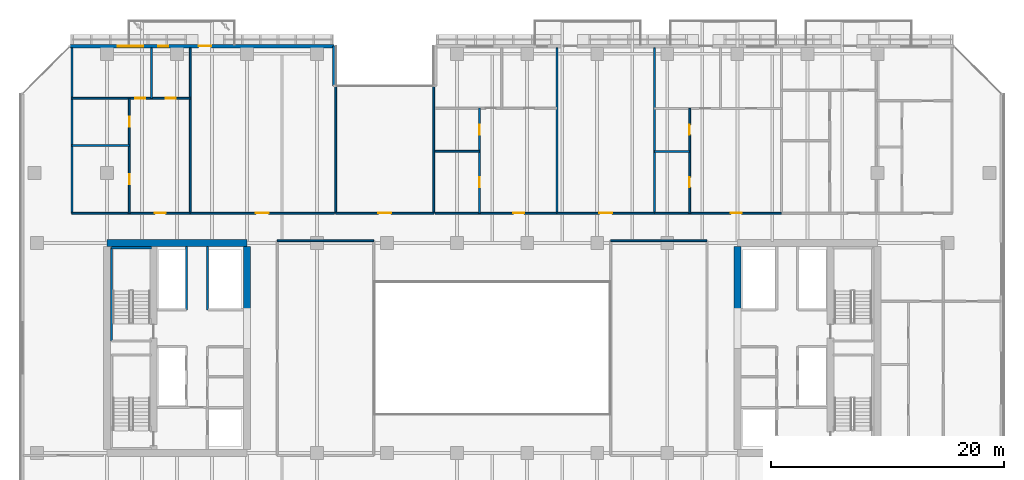
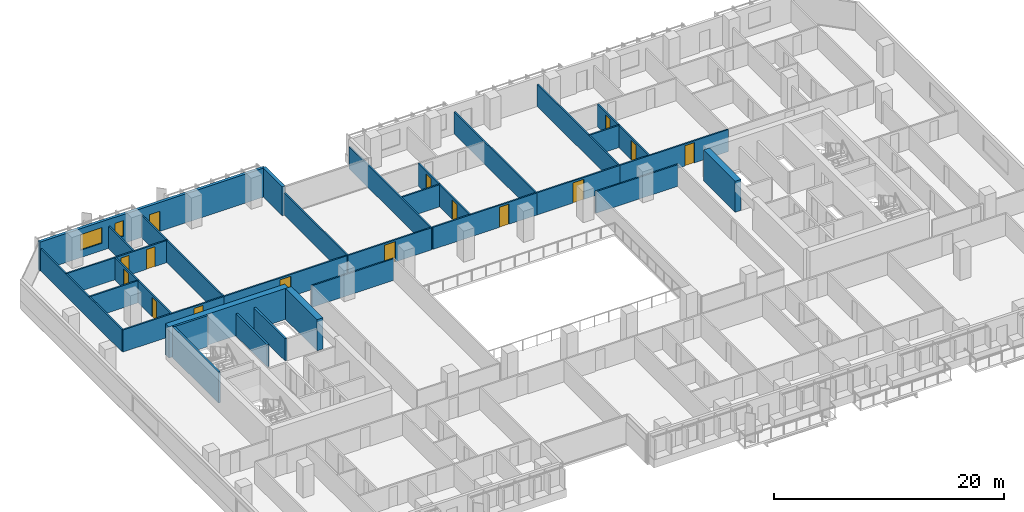
# One storey, part 22 of 34: 31 walls, 15 doors, 2 windows, 17 openings.
"""IFC4 building model written with IfcOpenShell, lengths in metres."""

from ifc_helpers import new_model, si_unit, direction, frame, frame_2d, origin, place, context, subcontext, project, spatial, rectangle, extrude, material, layer, layer_set, type_object, element, fill, save


model = new_model("IFC4")

# Units and contexts
model_context = context("Model", 3, precision=1e-05, world=origin(), true_north=direction((0.0, 1.0)))
body_context = subcontext(model_context, "Body", "Model", "MODEL_VIEW")
ifc_project = project(units=[si_unit("LENGTHUNIT", "METRE"), si_unit("AREAUNIT", "SQUARE_METRE"), si_unit("VOLUMEUNIT", "CUBIC_METRE"), si_unit("PLANEANGLEUNIT", "RADIAN"), si_unit("MASSUNIT", "GRAM", prefix="KILO")], contexts=[model_context])

# Site, building, storey
site_placement = place(None, origin())
site = spatial("IfcSite", under=ifc_project, at=site_placement, CompositionType="ELEMENT")
building_placement = place(site_placement, origin())
building = spatial("IfcBuilding", under=site, at=building_placement, Name="Tanjung Sevakor Pilgrim Tower", CompositionType="ELEMENT")
storey_placement = place(building_placement, frame((0.0, 0.0, 55.43994140625)))
storey = spatial("IfcBuildingStorey", under=building, at=storey_placement, Name="L15", CompositionType="ELEMENT", Elevation=55.43994140625)

# Walls
ifc_material_1 = material(Name="Concrete C60/75", Category="concrete")
ifc_layer_1 = layer(ifc_material_1, 0.60009765625)
ifc_layer_set_1 = layer_set([ifc_layer_1], Name="WALL-CW-600")
wall_type_1 = type_object("IfcWallType", Name="WALL-CW-600", PredefinedType="SHEAR", material=ifc_layer_set_1)
wall_1_placement = place(storey_placement, frame((36.0, 42.60009765625, 0.0), z_axis=(0.0, 0.0, 1.0), x_axis=(-1.0, 0.0, 0.0)))
element("IfcWall", 1, at=wall_1_placement, inside=storey, type_object=wall_type_1, Name="L15 W Core North Shear Wall", PredefinedType="SHEAR", context=body_context, shape_type="SweptSolid", body=[
    extrude(rectangle(XDim=12.0, YDim=0.60009765625, at=frame_2d((6.0, 0.0))), origin(), (0.0, 0.0, 1.0), 3.300048828125),
])
for number, where, z_axis, x_axis, name in (
    (2, (36.0, 36.800048828125, 0.0), (0.0, 0.0, 1.0), (0.0, 1.0, 0.0), "L15 W Core Inner Shear Wall North"),
    (3, (78.0, 36.800048828125, 0.0), (0.0, 0.0, 1.0), (0.0, 1.0, 0.0), "L15 E Core Inner Shear Wall North"),
):
    element("IfcWall", number, at=place(storey_placement, frame(where, z_axis=z_axis, x_axis=x_axis)), inside=storey, type_object=wall_type_1, Name=name, PredefinedType="SHEAR", context=body_context, shape_type="SweptSolid", body=[
        extrude(rectangle(XDim=5.5, YDim=0.60009765625, at=frame_2d((2.75, 0.0))), origin(), (0.0, 0.0, 1.0), 3.300048828125),
    ])
ifc_material_2 = material(Name="Concrete C40/50", Category="concrete")
ifc_layer_2 = layer(ifc_material_2, 0.14990234375)
ifc_layer_set_2 = layer_set([ifc_layer_2], Name="WT-COMP-150")
wall_type_2 = type_object("IfcWallType", Name="WT-COMP-150", PredefinedType="SOLIDWALL", material=ifc_layer_set_2)
for number, where, z_axis, x_axis, name in (
    (4, (38.60009765625, 42.800048828125, 0.0), (0.0, 0.0, 1.0), (1.0, 0.0, 0.0), "L15 Partition IW-L15-024"),
    (5, (67.14990234375, 42.800048828125, 0.0), (0.0, 0.0, 1.0), (1.0, 0.0, 0.0), "L15 Partition IW-L15-028"),
):
    element("IfcWall", number, at=place(storey_placement, frame(where, z_axis=z_axis, x_axis=x_axis)), inside=storey, type_object=wall_type_2, Name=name, PredefinedType="SOLIDWALL", context=body_context, shape_type="SweptSolid", body=[
        extrude(rectangle(XDim=8.25, YDim=0.14990234375, at=frame_2d((4.125, 0.0))), origin(), (0.0, 0.0, 1.0), 2.295166015625),
    ])

# Wall, opening, door
wall_2_placement = place(storey_placement, frame((43.60009765625, 45.14990234375, 0.0), z_axis=(0.0, 0.0, 1.0), x_axis=(1.0, 0.0, 0.0)))
wall_2 = element("IfcWall", 6, at=wall_2_placement, inside=storey, type_object=wall_type_2, Name="L15 Partition IW-L15-041", PredefinedType="SOLIDWALL", context=body_context, shape_type="SweptSolid", body=[
    extrude(rectangle(XDim=8.39990234375, YDim=0.14990234375, at=frame_2d((4.199951171875, 0.0))), origin(), (0.0, 0.0, 1.0), 2.35009765625),
])
opening_1_placement = place(wall_2_placement, frame((3.64990234375, 0.0, 0.0)))
opening_1 = element("IfcOpeningElement", 7, at=opening_1_placement, cuts=wall_2, Name="Opening ID-RM2", PredefinedType="OPENING", context=body_context, shape_type="SweptSolid", body=[
    extrude(rectangle(XDim=1.10009765625, YDim=2.14990234375, at=frame_2d((0.550048828125, 1.074951171875))), frame((0.0, 0.0849609375, 0.0), z_axis=(0.0, -1.0, 0.0), x_axis=(1.0, 0.0, 0.0)), (0.0, 0.0, 1.0), 0.169921875),
])
ifc_material_3 = material(Name="Hardwood Timber", Category="wood")
door_type_1 = type_object("IfcDoorType", Name="DT-INT-1100", OperationType="NOTDEFINED", PredefinedType="DOOR", material=ifc_material_3)
door_1_placement = place(opening_1_placement, origin())
door_1 = element("IfcDoor", 8, at=door_1_placement, inside=storey, type_object=door_type_1, Name="L15 North Cleft Reading Room Door", OperationType="SINGLE_SWING_LEFT", OverallHeight=2.14990234375, OverallWidth=1.10009765625, PredefinedType="DOOR", context=body_context, shape_type="SweptSolid", body=[
    extrude(rectangle(XDim=1.10009765625, YDim=2.14990234375, at=frame_2d((0.550048828125, 1.074951171875))), frame((0.0, 0.02490234375, 0.0), z_axis=(0.0, -1.0, 0.0), x_axis=(1.0, 0.0, 0.0)), (0.0, 0.0, 1.0), 0.050048828125),
])
fill(opening_1, door_1)

# Walls
for number, where, z_axis, x_axis, name in (
    (9, (43.60009765625, 45.14990234375, 0.0), (0.0, 0.0, 1.0), (0.0, 1.0, 0.0), "L15 Partition IW-L15-042"),
    (10, (52.0, 45.14990234375, 0.0), (0.0, 0.0, 1.0), (0.0, 1.0, 0.0), "L15 Partition IW-L15-043"),
    (11, (21.0, 45.14990234375, 0.0), (0.0, 0.0, 1.0), (0.0, 1.0, 0.0), "L15 Partition IW-L15-076"),
    (12, (31.137939453125, 45.14990234375, 0.0), (0.0, 0.0, 1.0), (0.0, 1.0, 0.0), "L15 Partition IW-L15-077"),
):
    element("IfcWall", number, at=place(storey_placement, frame(where, z_axis=z_axis, x_axis=x_axis)), inside=storey, type_object=wall_type_2, Name=name, PredefinedType="SOLIDWALL", context=body_context, shape_type="SweptSolid", body=[
        extrude(rectangle(XDim=14.170166015625, YDim=0.14990234375, at=frame_2d((7.0849609375, 0.0))), origin(), (0.0, 0.0, 1.0), 2.35009765625),
    ])

# Wall, opening, door
wall_3_placement = place(storey_placement, frame((21.0, 45.14990234375, 0.0), z_axis=(0.0, 0.0, 1.0), x_axis=(1.0, 0.0, 0.0)))
wall_3 = element("IfcWall", 13, at=wall_3_placement, inside=storey, type_object=wall_type_2, Name="L15 Partition IW-L15-082", PredefinedType="SOLIDWALL", context=body_context, shape_type="SweptSolid", body=[
    extrude(rectangle(XDim=10.137939453125, YDim=0.14990234375, at=frame_2d((5.06884765625, 0.0))), origin(), (0.0, 0.0, 1.0), 2.35009765625),
])
opening_2_placement = place(wall_3_placement, frame((7.093994140625, 0.0, 0.0)))
opening_2 = element("IfcOpeningElement", 14, at=opening_2_placement, cuts=wall_3, Name="Opening ID-FD2", PredefinedType="OPENING", context=body_context, shape_type="SweptSolid", body=[
    extrude(rectangle(XDim=0.949951171875, YDim=2.14990234375, at=frame_2d((0.47509765625, 1.074951171875))), frame((0.0, 0.0849609375, 0.0), z_axis=(0.0, -1.0, 0.0), x_axis=(1.0, 0.0, 0.0)), (0.0, 0.0, 1.0), 0.169921875),
])
ifc_material_4 = material(Name="Fire-Rated Timber", Category="wood")
door_type_2 = type_object("IfcDoorType", Name="DT-FIRE-950", OperationType="NOTDEFINED", PredefinedType="DOOR", material=ifc_material_4)
door_2_placement = place(opening_2_placement, origin())
door_2 = element("IfcDoor", 15, at=door_2_placement, inside=storey, type_object=door_type_2, Name="Suite Entrance", OperationType="SINGLE_SWING_LEFT", OverallHeight=2.14990234375, OverallWidth=0.949951171875, PredefinedType="DOOR", context=body_context, shape_type="SweptSolid", body=[
    extrude(rectangle(XDim=0.949951171875, YDim=2.14990234375, at=frame_2d((0.47509765625, 1.074951171875))), frame((0.0, 0.02490234375, 0.0), z_axis=(0.0, -1.0, 0.0), x_axis=(1.0, 0.0, 0.0)), (0.0, 0.0, 1.0), 0.050048828125),
])
fill(opening_2, door_2)

wall_4_placement = place(storey_placement, frame((31.137939453125, 45.14990234375, 0.0), z_axis=(0.0, 0.0, 1.0), x_axis=(1.0, 0.0, 0.0)))
wall_4 = element("IfcWall", 16, at=wall_4_placement, inside=storey, type_object=wall_type_2, Name="L15 Partition IW-L15-083", PredefinedType="SOLIDWALL", context=body_context, shape_type="SweptSolid", body=[
    extrude(rectangle(XDim=12.342041015625, YDim=0.14990234375, at=frame_2d((6.1708984375, 0.0))), origin(), (0.0, 0.0, 1.0), 2.35009765625),
])
opening_3_placement = place(wall_4_placement, frame((5.62109375, 0.0, 0.0)))
opening_3 = element("IfcOpeningElement", 17, at=opening_3_placement, cuts=wall_4, Name="Opening ID-FD0", PredefinedType="OPENING", context=body_context, shape_type="SweptSolid", body=[
    extrude(rectangle(XDim=1.10009765625, YDim=2.14990234375, at=frame_2d((0.550048828125, 1.074951171875))), frame((0.0, 0.0849609375, 0.0), z_axis=(0.0, -1.0, 0.0), x_axis=(1.0, 0.0, 0.0)), (0.0, 0.0, 1.0), 0.169921875),
])
ifc_material_5 = material(Name="Fire-Rated Steel S355J2", Category="steel")
door_type_3 = type_object("IfcDoorType", Name="DT-FIRE-1100", OperationType="NOTDEFINED", PredefinedType="DOOR", material=ifc_material_5)
door_3_placement = place(opening_3_placement, origin())
door_3 = element("IfcDoor", 18, at=door_3_placement, inside=storey, type_object=door_type_3, Name="Seminar Room Door", OperationType="SINGLE_SWING_RIGHT", OverallHeight=2.14990234375, OverallWidth=1.10009765625, PredefinedType="DOOR", context=body_context, shape_type="SweptSolid", body=[
    extrude(rectangle(XDim=1.10009765625, YDim=2.14990234375, at=frame_2d((0.550048828125, 1.074951171875))), frame((0.0, 0.02490234375, 0.0), z_axis=(0.0, -1.0, 0.0), x_axis=(1.0, 0.0, 0.0)), (0.0, 0.0, 1.0), 0.050048828125),
])
fill(opening_3, door_3)

# Wall
wall_5_placement = place(storey_placement, frame((62.552490234375, 45.14990234375, 0.0), z_axis=(0.0, 0.0, 1.0), x_axis=(0.0, 1.0, 0.0)))
element("IfcWall", 19, at=wall_5_placement, inside=storey, type_object=wall_type_2, Name="L15 Partition IW-L15-085", PredefinedType="SOLIDWALL", context=body_context, shape_type="SweptSolid", body=[
    extrude(rectangle(XDim=14.170166015625, YDim=0.14990234375, at=frame_2d((7.0849609375, 0.0))), origin(), (0.0, 0.0, 1.0), 2.35009765625),
])

# Wall, opening, door
wall_6_placement = place(storey_placement, frame((52.1201171875, 45.14990234375, 0.0), z_axis=(0.0, 0.0, 1.0), x_axis=(1.0, 0.0, 0.0)))
wall_6 = element("IfcWall", 20, at=wall_6_placement, inside=storey, type_object=wall_type_2, Name="L15 Partition IW-L15-090", PredefinedType="SOLIDWALL", context=body_context, shape_type="SweptSolid", body=[
    extrude(rectangle(XDim=10.432373046875, YDim=0.14990234375, at=frame_2d((5.21630859375, 0.0))), origin(), (0.0, 0.0, 1.0), 2.35009765625),
])
opening_4_placement = place(wall_6_placement, frame((6.681396484375, 0.0, 0.0)))
opening_4 = element("IfcOpeningElement", 21, at=opening_4_placement, cuts=wall_6, Name="Opening ID-FD2", PredefinedType="OPENING", context=body_context, shape_type="SweptSolid", body=[
    extrude(rectangle(XDim=0.949951171875, YDim=2.14990234375, at=frame_2d((0.47509765625, 1.074951171875))), frame((0.0, 0.0849609375, 0.0), z_axis=(0.0, -1.0, 0.0), x_axis=(1.0, 0.0, 0.0)), (0.0, 0.0, 1.0), 0.169921875),
])
door_4_placement = place(opening_4_placement, origin())
door_4 = element("IfcDoor", 22, at=door_4_placement, inside=storey, type_object=door_type_2, Name="Suite Entrance", OperationType="SINGLE_SWING_LEFT", OverallHeight=2.14990234375, OverallWidth=0.949951171875, PredefinedType="DOOR", context=body_context, shape_type="SweptSolid", body=[
    extrude(rectangle(XDim=0.949951171875, YDim=2.14990234375, at=frame_2d((0.47509765625, 1.074951171875))), frame((0.0, 0.02490234375, 0.0), z_axis=(0.0, -1.0, 0.0), x_axis=(1.0, 0.0, 0.0)), (0.0, 0.0, 1.0), 0.050048828125),
])
fill(opening_4, door_4)

# Wall
wall_7_placement = place(storey_placement, frame((70.8984375, 45.14990234375, 0.0), z_axis=(0.0, 0.0, 1.0), x_axis=(0.0, 1.0, 0.0)))
element("IfcWall", 23, at=wall_7_placement, inside=storey, type_object=wall_type_2, Name="L15 Partition IW-L15-091", PredefinedType="SOLIDWALL", context=body_context, shape_type="SweptSolid", body=[
    extrude(rectangle(XDim=14.170166015625, YDim=0.14990234375, at=frame_2d((7.0849609375, 0.0))), origin(), (0.0, 0.0, 1.0), 2.35009765625),
])

# Wall, opening, door
wall_8_placement = place(storey_placement, frame((62.552490234375, 45.14990234375, 0.0), z_axis=(0.0, 0.0, 1.0), x_axis=(1.0, 0.0, 0.0)))
wall_8 = element("IfcWall", 24, at=wall_8_placement, inside=storey, type_object=wall_type_2, Name="L15 Partition IW-L15-092", PredefinedType="SOLIDWALL", context=body_context, shape_type="SweptSolid", body=[
    extrude(rectangle(XDim=8.345947265625, YDim=0.14990234375, at=frame_2d((4.1728515625, 0.0))), origin(), (0.0, 0.0, 1.0), 2.35009765625),
])
opening_5_placement = place(wall_8_placement, frame((3.623046875, 0.0, 0.0)))
opening_5 = element("IfcOpeningElement", 25, at=opening_5_placement, cuts=wall_8, Name="Opening ID-FD0", PredefinedType="OPENING", context=body_context, shape_type="SweptSolid", body=[
    extrude(rectangle(XDim=1.10009765625, YDim=2.14990234375, at=frame_2d((0.550048828125, 1.074951171875))), frame((0.0, 0.0849609375, 0.0), z_axis=(0.0, -1.0, 0.0), x_axis=(1.0, 0.0, 0.0)), (0.0, 0.0, 1.0), 0.169921875),
])
door_5_placement = place(opening_5_placement, origin())
door_5 = element("IfcDoor", 26, at=door_5_placement, inside=storey, type_object=door_type_3, Name="Council Room Door", OperationType="SINGLE_SWING_RIGHT", OverallHeight=2.14990234375, OverallWidth=1.10009765625, PredefinedType="DOOR", context=body_context, shape_type="SweptSolid", body=[
    extrude(rectangle(XDim=1.10009765625, YDim=2.14990234375, at=frame_2d((0.550048828125, 1.074951171875))), frame((0.0, 0.02490234375, 0.0), z_axis=(0.0, -1.0, 0.0), x_axis=(1.0, 0.0, 0.0)), (0.0, 0.0, 1.0), 0.050048828125),
])
fill(opening_5, door_5)

wall_9_placement = place(storey_placement, frame((70.8984375, 45.14990234375, 0.0), z_axis=(0.0, 0.0, 1.0), x_axis=(1.0, 0.0, 0.0)))
wall_9 = element("IfcWall", 27, at=wall_9_placement, inside=storey, type_object=wall_type_2, Name="L15 Partition IW-L15-098", PredefinedType="SOLIDWALL", context=body_context, shape_type="SweptSolid", body=[
    extrude(rectangle(XDim=10.896240234375, YDim=0.14990234375, at=frame_2d((5.4482421875, 0.0))), origin(), (0.0, 0.0, 1.0), 2.35009765625),
])
opening_6_placement = place(wall_9_placement, frame((6.523681640625, 0.0, 0.0)))
opening_6 = element("IfcOpeningElement", 28, at=opening_6_placement, cuts=wall_9, Name="Opening ID-FD2", PredefinedType="OPENING", context=body_context, shape_type="SweptSolid", body=[
    extrude(rectangle(XDim=0.949951171875, YDim=2.14990234375, at=frame_2d((0.47509765625, 1.074951171875))), frame((0.0, 0.0849609375, 0.0), z_axis=(0.0, -1.0, 0.0), x_axis=(1.0, 0.0, 0.0)), (0.0, 0.0, 1.0), 0.169921875),
])
door_6_placement = place(opening_6_placement, origin())
door_6 = element("IfcDoor", 29, at=door_6_placement, inside=storey, type_object=door_type_2, Name="Suite Entrance", OperationType="SINGLE_SWING_LEFT", OverallHeight=2.14990234375, OverallWidth=0.949951171875, PredefinedType="DOOR", context=body_context, shape_type="SweptSolid", body=[
    extrude(rectangle(XDim=0.949951171875, YDim=2.14990234375, at=frame_2d((0.47509765625, 1.074951171875))), frame((0.0, 0.02490234375, 0.0), z_axis=(0.0, -1.0, 0.0), x_axis=(1.0, 0.0, 0.0)), (0.0, 0.0, 1.0), 0.050048828125),
])
fill(opening_6, door_6)

# Wall
ifc_material_6 = material(Name="Precast concrete C45/55", Category="concrete")
ifc_layer_3 = layer(ifc_material_6, 0.280029296875)
ifc_layer_set_3 = layer_set([ifc_layer_3], Name="WT-EW-STN2")
wall_type_3 = type_object("IfcWallType", Name="WT-EW-STN2", PredefinedType="SOLIDWALL", material=ifc_layer_set_3)
wall_10_placement = place(storey_placement, frame((43.4599609375, 56.06005859375, 0.0), z_axis=(0.0, 0.0, 1.0), x_axis=(0.0, 1.0, 0.0)))
element("IfcWall", 30, at=wall_10_placement, inside=storey, type_object=wall_type_3, Name="L15 MAIN Exterior Wall 12", PredefinedType="SOLIDWALL", context=body_context, shape_type="SweptSolid", body=[
    extrude(rectangle(XDim=3.39990234375, YDim=0.280029296875, at=frame_2d((1.699951171875, 0.0))), origin(), (0.0, 0.0, 1.0), 3.080078125),
])

# Wall, openings, door, windows
wall_11_placement = place(storey_placement, frame((43.4599609375, 59.4599609375, 0.0), z_axis=(0.0, 0.0, 1.0), x_axis=(-1.0, 0.0, 0.0)))
wall_11 = element("IfcWall", 31, at=wall_11_placement, inside=storey, type_object=wall_type_3, Name="L15 MAIN Exterior Wall 13", PredefinedType="SOLIDWALL", context=body_context, shape_type="SweptSolid", body=[
    extrude(rectangle(XDim=22.60205078125, YDim=0.280029296875, at=frame_2d((11.301025390625, 0.0))), origin(), (0.0, 0.0, 1.0), 3.080078125),
])
opening_7_placement = place(wall_11_placement, frame((10.510009765625, 0.0, 0.0)))
opening_7 = element("IfcOpeningElement", 32, at=opening_7_placement, cuts=wall_11, Name="Opening ED-BAL-1100", PredefinedType="OPENING", context=body_context, shape_type="SweptSolid", body=[
    extrude(rectangle(XDim=1.10009765625, YDim=2.14990234375, at=frame_2d((0.550048828125, 1.074951171875))), frame((0.0, 0.14990234375, 0.0), z_axis=(0.0, -1.0, 0.0), x_axis=(1.0, 0.0, 0.0)), (0.0, 0.0, 1.0), 0.300048828125),
])
opening_8_placement = place(wall_11_placement, frame((16.340087890625, 0.0, 0.780029296875)))
opening_8 = element("IfcOpeningElement", 33, at=opening_8_placement, cuts=wall_11, Name="Opening WN-Z1-1660", PredefinedType="OPENING", context=body_context, shape_type="SweptSolid", body=[
    extrude(rectangle(XDim=2.199951171875, YDim=1.659912109375, at=frame_2d((1.10009765625, 0.830078125))), frame((0.0, 0.14990234375, 0.0), z_axis=(0.0, -1.0, 0.0), x_axis=(1.0, 0.0, 0.0)), (0.0, 0.0, 1.0), 0.300048828125),
])
opening_9_placement = place(wall_11_placement, frame((14.2060546875, 0.0, 0.780029296875)))
opening_9 = element("IfcOpeningElement", 34, at=opening_9_placement, cuts=wall_11, Name="Opening WN-SLM", PredefinedType="OPENING", context=body_context, shape_type="SweptSolid", body=[
    extrude(rectangle(XDim=0.85009765625, YDim=1.64990234375, at=frame_2d((0.425048828125, 0.824951171875))), frame((0.0, 0.14990234375, 0.0), z_axis=(0.0, -1.0, 0.0), x_axis=(1.0, 0.0, 0.0)), (0.0, 0.0, 1.0), 0.300048828125),
])
ifc_material_7 = material(Name="Anodised Aluminium and Laminated Glass", Category="aluminium")
door_type_4 = type_object("IfcDoorType", Name="DTYP-ED-BAL-1100", OperationType="NOTDEFINED", PredefinedType="DOOR", material=ifc_material_7)
door_7_placement = place(opening_7_placement, frame((1.10009765625, 0.0, 0.0), z_axis=(0.0, 0.0, 1.0), x_axis=(-1.0, 0.0, 0.0)))
door_7 = element("IfcDoor", 35, at=door_7_placement, inside=storey, type_object=door_type_4, Name="L15 Balcony Door MAIN-N1", OperationType="SINGLE_SWING_LEFT", OverallHeight=2.14990234375, OverallWidth=1.10009765625, PredefinedType="DOOR", context=body_context, shape_type="SweptSolid", body=[
    extrude(rectangle(XDim=1.10009765625, YDim=2.14990234375, at=frame_2d((0.550048828125, 1.074951171875))), frame((0.0, 0.02490234375, 0.0), z_axis=(0.0, -1.0, 0.0), x_axis=(1.0, 0.0, 0.0)), (0.0, 0.0, 1.0), 0.050048828125),
])
fill(opening_7, door_7)
ifc_material_8 = material(Name="Thermally Broken Aluminium and Low-E Glass", Category="aluminium")
window_type_1 = type_object("IfcWindowType", Name="WTYP-WN-SLM", PartitioningType="SINGLE_PANEL", PredefinedType="WINDOW", material=ifc_material_8)
window_1_placement = place(opening_9_placement, origin())
window_1 = element("IfcWindow", 36, at=window_1_placement, inside=storey, type_object=window_type_1, Name="L15 Facade Window 02", OverallHeight=1.64990234375, OverallWidth=0.85009765625, PartitioningType="SINGLE_PANEL", PredefinedType="WINDOW", context=body_context, shape_type="SweptSolid", body=[
    extrude(rectangle(XDim=0.85009765625, YDim=1.64990234375, at=frame_2d((0.425048828125, 0.824951171875))), frame((0.0, 0.030029296875, 0.0), z_axis=(0.0, -1.0, 0.0), x_axis=(1.0, 0.0, 0.0)), (0.0, 0.0, 1.0), 0.06005859375),
])
fill(opening_9, window_1)
ifc_material_9 = material(Name="Thermally Broken Aluminium and Low-E Glass", Category="aluminium")
window_type_2 = type_object("IfcWindowType", Name="WTYP-WN-Z1-1660", PartitioningType="DOUBLE_PANEL_VERTICAL", PredefinedType="WINDOW", material=ifc_material_9)
window_2_placement = place(opening_8_placement, origin())
window_2 = element("IfcWindow", 37, at=window_2_placement, inside=storey, type_object=window_type_2, Name="L15 Facade Window 01", OverallHeight=1.659912109375, OverallWidth=2.199951171875, PartitioningType="SINGLE_PANEL", PredefinedType="WINDOW", context=body_context, shape_type="SweptSolid", body=[
    extrude(rectangle(XDim=2.199951171875, YDim=1.659912109375, at=frame_2d((1.10009765625, 0.830078125))), frame((0.0, 0.030029296875, 0.0), z_axis=(0.0, -1.0, 0.0), x_axis=(1.0, 0.0, 0.0)), (0.0, 0.0, 1.0), 0.06005859375),
])
fill(opening_8, window_2)

# Walls
ifc_material_10 = material(Name="Concrete C40/50", Category="concrete")
ifc_layer_4 = layer(ifc_material_10, 0.199951171875)
ifc_layer_set_4 = layer_set([ifc_layer_4], Name="WT-FIRE-200")
wall_type_4 = type_object("IfcWallType", Name="WT-FIRE-200", PredefinedType="SOLIDWALL", material=ifc_layer_set_4)
wall_12_placement = place(storey_placement, frame((27.800048828125, 42.199951171875, 0.0), z_axis=(0.0, 0.0, 1.0), x_axis=(-1.0, 0.0, 0.0)))
element("IfcWall", 38, at=wall_12_placement, inside=storey, type_object=wall_type_4, Name="L15 TS-W2 Shaft Wall 2", PredefinedType="SOLIDWALL", context=body_context, shape_type="SweptSolid", body=[
    extrude(rectangle(XDim=3.400146484375, YDim=0.199951171875, at=frame_2d((1.7001953125, 0.0))), origin(), (0.0, 0.0, 1.0), 3.300048828125),
])
wall_13_placement = place(storey_placement, frame((24.39990234375, 42.199951171875, 0.0), z_axis=(0.0, 0.0, 1.0), x_axis=(0.0, -1.0, 0.0)))
element("IfcWall", 39, at=wall_13_placement, inside=storey, type_object=wall_type_4, Name="L15 TS-W2 Shaft Wall 3", PredefinedType="SOLIDWALL", context=body_context, shape_type="SweptSolid", body=[
    extrude(rectangle(XDim=8.0, YDim=0.199951171875, at=frame_2d((4.0, 0.0))), origin(), (0.0, 0.0, 1.0), 3.300048828125),
])
ifc_material_11 = material(Name="Concrete C40/50", Category="concrete")
ifc_layer_5 = layer(ifc_material_11, 0.199951171875)
ifc_layer_set_5 = layer_set([ifc_layer_5], Name="WT-FPRT-200")
wall_type_5 = type_object("IfcWallType", Name="WT-FPRT-200", PredefinedType="SOLIDWALL", material=ifc_layer_set_5)
for number, where, z_axis, x_axis, name in (
    (40, (30.820068359375, 36.8798828125, 0.0), (0.0, 0.0, 1.0), (0.0, 1.0, 0.0), "L15 Partition IW-L15-009"),
    (41, (32.6201171875, 36.8798828125, 0.0), (0.0, 0.0, 1.0), (0.0, 1.0, 0.0), "L15 Partition IW-L15-011"),
):
    element("IfcWall", number, at=place(storey_placement, frame(where, z_axis=z_axis, x_axis=x_axis)), inside=storey, type_object=wall_type_5, Name=name, PredefinedType="SOLIDWALL", context=body_context, shape_type="SweptSolid", body=[
        extrude(rectangle(XDim=5.420166015625, YDim=0.199951171875, at=frame_2d((2.7099609375, 0.0))), origin(), (0.0, 0.0, 1.0), 2.35009765625),
    ])
ifc_material_12 = material(Name="Gypsum Board Partition", Category="gypsum board")
ifc_layer_6 = layer(ifc_material_12, 0.14990234375)
ifc_layer_set_6 = layer_set([ifc_layer_6], Name="WT-PART-150")
wall_type_6 = type_object("IfcWallType", Name="WT-PART-150", PredefinedType="PARTITIONING", material=ifc_layer_set_6)
wall_14_placement = place(storey_placement, frame((21.0, 50.958251953125, 0.0), z_axis=(0.0, 0.0, 1.0), x_axis=(1.0, 0.0, 0.0)))
element("IfcWall", 42, at=wall_14_placement, inside=storey, type_object=wall_type_6, Name="L15 Partition IW-L15-078", PredefinedType="PARTITIONING", context=body_context, shape_type="SweptSolid", body=[
    extrude(rectangle(XDim=4.919921875, YDim=0.14990234375, at=frame_2d((2.4599609375, 0.0))), origin(), (0.0, 0.0, 1.0), 2.35009765625),
])

# Wall, openings, doors
wall_15_placement = place(storey_placement, frame((25.919921875, 45.14990234375, 0.0), z_axis=(0.0, 0.0, 1.0), x_axis=(0.0, 1.0, 0.0)))
wall_15 = element("IfcWall", 43, at=wall_15_placement, inside=storey, type_object=wall_type_6, Name="L15 Partition IW-L15-079", PredefinedType="PARTITIONING", context=body_context, shape_type="SweptSolid", body=[
    extrude(rectangle(XDim=9.844482421875, YDim=0.14990234375, at=frame_2d((4.92236328125, 0.0))), origin(), (0.0, 0.0, 1.0), 2.35009765625),
])
opening_10_placement = place(wall_15_placement, frame((2.479248046875, 0.0, 0.0)))
opening_10 = element("IfcOpeningElement", 44, at=opening_10_placement, cuts=wall_15, Name="Opening ID-WC1", PredefinedType="OPENING", context=body_context, shape_type="SweptSolid", body=[
    extrude(rectangle(XDim=0.85009765625, YDim=2.10009765625, at=frame_2d((0.425048828125, 1.050048828125))), frame((0.0, 0.0849609375, 0.0), z_axis=(0.0, -1.0, 0.0), x_axis=(1.0, 0.0, 0.0)), (0.0, 0.0, 1.0), 0.169921875),
])
opening_11_placement = place(wall_15_placement, frame((7.4013671875, 0.0, 0.0)))
opening_11 = element("IfcOpeningElement", 45, at=opening_11_placement, cuts=wall_15, Name="Opening ID-WC1", PredefinedType="OPENING", context=body_context, shape_type="SweptSolid", body=[
    extrude(rectangle(XDim=0.85009765625, YDim=2.10009765625, at=frame_2d((0.425048828125, 1.050048828125))), frame((0.0, 0.0849609375, 0.0), z_axis=(0.0, -1.0, 0.0), x_axis=(1.0, 0.0, 0.0)), (0.0, 0.0, 1.0), 0.169921875),
])
ifc_material_13 = material(Name="Moisture-Resistant Timber", Category="wood")
door_type_5 = type_object("IfcDoorType", Name="DT-INT-850", OperationType="NOTDEFINED", PredefinedType="DOOR", material=ifc_material_13)
door_8_placement = place(opening_10_placement, origin())
door_8 = element("IfcDoor", 46, at=door_8_placement, inside=storey, type_object=door_type_5, Name="Suite Kitchenette Door", OperationType="SINGLE_SWING_LEFT", OverallHeight=2.10009765625, OverallWidth=0.85009765625, PredefinedType="DOOR", context=body_context, shape_type="SweptSolid", body=[
    extrude(rectangle(XDim=0.85009765625, YDim=2.10009765625, at=frame_2d((0.425048828125, 1.050048828125))), frame((0.0, 0.02490234375, 0.0), z_axis=(0.0, -1.0, 0.0), x_axis=(1.0, 0.0, 0.0)), (0.0, 0.0, 1.0), 0.050048828125),
])
fill(opening_10, door_8)
door_9_placement = place(opening_11_placement, origin())
door_9 = element("IfcDoor", 47, at=door_9_placement, inside=storey, type_object=door_type_5, Name="Suite Bathroom Door", OperationType="SINGLE_SWING_RIGHT", OverallHeight=2.10009765625, OverallWidth=0.85009765625, PredefinedType="DOOR", context=body_context, shape_type="SweptSolid", body=[
    extrude(rectangle(XDim=0.85009765625, YDim=2.10009765625, at=frame_2d((0.425048828125, 1.050048828125))), frame((0.0, 0.02490234375, 0.0), z_axis=(0.0, -1.0, 0.0), x_axis=(1.0, 0.0, 0.0)), (0.0, 0.0, 1.0), 0.050048828125),
])
fill(opening_11, door_9)

# Wall
wall_16_placement = place(storey_placement, frame((27.820068359375, 54.994384765625, 0.0), z_axis=(0.0, 0.0, 1.0), x_axis=(0.0, 1.0, 0.0)))
element("IfcWall", 48, at=wall_16_placement, inside=storey, type_object=wall_type_6, Name="L15 Partition IW-L15-080", PredefinedType="PARTITIONING", context=body_context, shape_type="SweptSolid", body=[
    extrude(rectangle(XDim=4.32568359375, YDim=0.14990234375, at=frame_2d((2.162841796875, 0.0))), origin(), (0.0, 0.0, 1.0), 2.35009765625),
])

# Wall, openings, doors
wall_17_placement = place(storey_placement, frame((21.0, 54.994384765625, 0.0), z_axis=(0.0, 0.0, 1.0), x_axis=(1.0, 0.0, 0.0)))
wall_17 = element("IfcWall", 49, at=wall_17_placement, inside=storey, type_object=wall_type_6, Name="L15 Partition IW-L15-081", PredefinedType="PARTITIONING", context=body_context, shape_type="SweptSolid", body=[
    extrude(rectangle(XDim=10.137939453125, YDim=0.14990234375, at=frame_2d((5.06884765625, 0.0))), origin(), (0.0, 0.0, 1.0), 2.35009765625),
])
opening_12_placement = place(wall_17_placement, frame((5.445068359375, 0.0, 0.0)))
opening_12 = element("IfcOpeningElement", 50, at=opening_12_placement, cuts=wall_17, Name="Opening ID-WC1", PredefinedType="OPENING", context=body_context, shape_type="SweptSolid", body=[
    extrude(rectangle(XDim=0.85009765625, YDim=2.10009765625, at=frame_2d((0.425048828125, 1.050048828125))), frame((0.0, 0.0849609375, 0.0), z_axis=(0.0, -1.0, 0.0), x_axis=(1.0, 0.0, 0.0)), (0.0, 0.0, 1.0), 0.169921875),
])
opening_13_placement = place(wall_17_placement, frame((8.053955078125, 0.0, 0.0)))
opening_13 = element("IfcOpeningElement", 51, at=opening_13_placement, cuts=wall_17, Name="Opening ID-WC1", PredefinedType="OPENING", context=body_context, shape_type="SweptSolid", body=[
    extrude(rectangle(XDim=0.85009765625, YDim=2.10009765625, at=frame_2d((0.425048828125, 1.050048828125))), frame((0.0, 0.0849609375, 0.0), z_axis=(0.0, -1.0, 0.0), x_axis=(1.0, 0.0, 0.0)), (0.0, 0.0, 1.0), 0.169921875),
])
door_10_placement = place(opening_12_placement, origin())
door_10 = element("IfcDoor", 52, at=door_10_placement, inside=storey, type_object=door_type_5, Name="Suite Bedroom 1 Door", OperationType="SINGLE_SWING_LEFT", OverallHeight=2.10009765625, OverallWidth=0.85009765625, PredefinedType="DOOR", context=body_context, shape_type="SweptSolid", body=[
    extrude(rectangle(XDim=0.85009765625, YDim=2.10009765625, at=frame_2d((0.425048828125, 1.050048828125))), frame((0.0, 0.02490234375, 0.0), z_axis=(0.0, -1.0, 0.0), x_axis=(1.0, 0.0, 0.0)), (0.0, 0.0, 1.0), 0.050048828125),
])
fill(opening_12, door_10)
door_11_placement = place(opening_13_placement, origin())
door_11 = element("IfcDoor", 53, at=door_11_placement, inside=storey, type_object=door_type_5, Name="Suite Bedroom 2 Door", OperationType="SINGLE_SWING_RIGHT", OverallHeight=2.10009765625, OverallWidth=0.85009765625, PredefinedType="DOOR", context=body_context, shape_type="SweptSolid", body=[
    extrude(rectangle(XDim=0.85009765625, YDim=2.10009765625, at=frame_2d((0.425048828125, 1.050048828125))), frame((0.0, 0.02490234375, 0.0), z_axis=(0.0, -1.0, 0.0), x_axis=(1.0, 0.0, 0.0)), (0.0, 0.0, 1.0), 0.050048828125),
])
fill(opening_13, door_11)

# Wall
wall_18_placement = place(storey_placement, frame((52.1201171875, 50.456787109375, 0.0), z_axis=(0.0, 0.0, 1.0), x_axis=(1.0, 0.0, 0.0)))
element("IfcWall", 54, at=wall_18_placement, inside=storey, type_object=wall_type_6, Name="L15 Partition IW-L15-086", PredefinedType="PARTITIONING", context=body_context, shape_type="SweptSolid", body=[
    extrude(rectangle(XDim=3.7998046875, YDim=0.14990234375, at=frame_2d((1.89990234375, 0.0))), origin(), (0.0, 0.0, 1.0), 2.35009765625),
])

# Wall, openings, doors
wall_19_placement = place(storey_placement, frame((55.919921875, 45.14990234375, 0.0), z_axis=(0.0, 0.0, 1.0), x_axis=(0.0, 1.0, 0.0)))
wall_19 = element("IfcWall", 55, at=wall_19_placement, inside=storey, type_object=wall_type_6, Name="L15 Partition IW-L15-087", PredefinedType="PARTITIONING", context=body_context, shape_type="SweptSolid", body=[
    extrude(rectangle(XDim=8.99462890625, YDim=0.14990234375, at=frame_2d((4.497314453125, 0.0))), origin(), (0.0, 0.0, 1.0), 2.35009765625),
])
opening_14_placement = place(wall_19_placement, frame((2.228515625, 0.0, 0.0)))
opening_14 = element("IfcOpeningElement", 56, at=opening_14_placement, cuts=wall_19, Name="Opening ID-WC1", PredefinedType="OPENING", context=body_context, shape_type="SweptSolid", body=[
    extrude(rectangle(XDim=0.85009765625, YDim=2.10009765625, at=frame_2d((0.425048828125, 1.050048828125))), frame((0.0, 0.0849609375, 0.0), z_axis=(0.0, -1.0, 0.0), x_axis=(1.0, 0.0, 0.0)), (0.0, 0.0, 1.0), 0.169921875),
])
opening_15_placement = place(wall_19_placement, frame((6.7255859375, 0.0, 0.0)))
opening_15 = element("IfcOpeningElement", 57, at=opening_15_placement, cuts=wall_19, Name="Opening ID-WC1", PredefinedType="OPENING", context=body_context, shape_type="SweptSolid", body=[
    extrude(rectangle(XDim=0.85009765625, YDim=2.10009765625, at=frame_2d((0.425048828125, 1.050048828125))), frame((0.0, 0.0849609375, 0.0), z_axis=(0.0, -1.0, 0.0), x_axis=(1.0, 0.0, 0.0)), (0.0, 0.0, 1.0), 0.169921875),
])
door_12_placement = place(opening_14_placement, origin())
door_12 = element("IfcDoor", 58, at=door_12_placement, inside=storey, type_object=door_type_5, Name="Suite Kitchenette Door", OperationType="SINGLE_SWING_LEFT", OverallHeight=2.10009765625, OverallWidth=0.85009765625, PredefinedType="DOOR", context=body_context, shape_type="SweptSolid", body=[
    extrude(rectangle(XDim=0.85009765625, YDim=2.10009765625, at=frame_2d((0.425048828125, 1.050048828125))), frame((0.0, 0.02490234375, 0.0), z_axis=(0.0, -1.0, 0.0), x_axis=(1.0, 0.0, 0.0)), (0.0, 0.0, 1.0), 0.050048828125),
])
fill(opening_14, door_12)
door_13_placement = place(opening_15_placement, origin())
door_13 = element("IfcDoor", 59, at=door_13_placement, inside=storey, type_object=door_type_5, Name="Suite Bathroom Door", OperationType="SINGLE_SWING_RIGHT", OverallHeight=2.10009765625, OverallWidth=0.85009765625, PredefinedType="DOOR", context=body_context, shape_type="SweptSolid", body=[
    extrude(rectangle(XDim=0.85009765625, YDim=2.10009765625, at=frame_2d((0.425048828125, 1.050048828125))), frame((0.0, 0.02490234375, 0.0), z_axis=(0.0, -1.0, 0.0), x_axis=(1.0, 0.0, 0.0)), (0.0, 0.0, 1.0), 0.050048828125),
])
fill(opening_15, door_13)

# Wall
wall_20_placement = place(storey_placement, frame((70.8984375, 50.4423828125, 0.0), z_axis=(0.0, 0.0, 1.0), x_axis=(1.0, 0.0, 0.0)))
element("IfcWall", 60, at=wall_20_placement, inside=storey, type_object=wall_type_6, Name="L15 Partition IW-L15-094", PredefinedType="PARTITIONING", context=body_context, shape_type="SweptSolid", body=[
    extrude(rectangle(XDim=3.021484375, YDim=0.14990234375, at=frame_2d((1.5107421875, 0.0))), origin(), (0.0, 0.0, 1.0), 2.35009765625),
])

# Wall, openings, doors
wall_21_placement = place(storey_placement, frame((73.919921875, 45.14990234375, 0.0), z_axis=(0.0, 0.0, 1.0), x_axis=(0.0, 1.0, 0.0)))
wall_21 = element("IfcWall", 61, at=wall_21_placement, inside=storey, type_object=wall_type_6, Name="L15 Partition IW-L15-095", PredefinedType="PARTITIONING", context=body_context, shape_type="SweptSolid", body=[
    extrude(rectangle(XDim=8.97021484375, YDim=0.14990234375, at=frame_2d((4.485107421875, 0.0))), origin(), (0.0, 0.0, 1.0), 2.35009765625),
])
opening_16_placement = place(wall_21_placement, frame((2.22119140625, 0.0, 0.0)))
opening_16 = element("IfcOpeningElement", 62, at=opening_16_placement, cuts=wall_21, Name="Opening ID-WC1", PredefinedType="OPENING", context=body_context, shape_type="SweptSolid", body=[
    extrude(rectangle(XDim=0.85009765625, YDim=2.10009765625, at=frame_2d((0.425048828125, 1.050048828125))), frame((0.0, 0.0849609375, 0.0), z_axis=(0.0, -1.0, 0.0), x_axis=(1.0, 0.0, 0.0)), (0.0, 0.0, 1.0), 0.169921875),
])
opening_17_placement = place(wall_21_placement, frame((6.706298828125, 0.0, 0.0)))
opening_17 = element("IfcOpeningElement", 63, at=opening_17_placement, cuts=wall_21, Name="Opening ID-WC1", PredefinedType="OPENING", context=body_context, shape_type="SweptSolid", body=[
    extrude(rectangle(XDim=0.85009765625, YDim=2.10009765625, at=frame_2d((0.425048828125, 1.050048828125))), frame((0.0, 0.0849609375, 0.0), z_axis=(0.0, -1.0, 0.0), x_axis=(1.0, 0.0, 0.0)), (0.0, 0.0, 1.0), 0.169921875),
])
door_14_placement = place(opening_16_placement, origin())
door_14 = element("IfcDoor", 64, at=door_14_placement, inside=storey, type_object=door_type_5, Name="Suite Kitchenette Door", OperationType="SINGLE_SWING_LEFT", OverallHeight=2.10009765625, OverallWidth=0.85009765625, PredefinedType="DOOR", context=body_context, shape_type="SweptSolid", body=[
    extrude(rectangle(XDim=0.85009765625, YDim=2.10009765625, at=frame_2d((0.425048828125, 1.050048828125))), frame((0.0, 0.02490234375, 0.0), z_axis=(0.0, -1.0, 0.0), x_axis=(1.0, 0.0, 0.0)), (0.0, 0.0, 1.0), 0.050048828125),
])
fill(opening_16, door_14)
door_15_placement = place(opening_17_placement, origin())
door_15 = element("IfcDoor", 65, at=door_15_placement, inside=storey, type_object=door_type_5, Name="Suite Bathroom Door", OperationType="SINGLE_SWING_RIGHT", OverallHeight=2.10009765625, OverallWidth=0.85009765625, PredefinedType="DOOR", context=body_context, shape_type="SweptSolid", body=[
    extrude(rectangle(XDim=0.85009765625, YDim=2.10009765625, at=frame_2d((0.425048828125, 1.050048828125))), frame((0.0, 0.02490234375, 0.0), z_axis=(0.0, -1.0, 0.0), x_axis=(1.0, 0.0, 0.0)), (0.0, 0.0, 1.0), 0.050048828125),
])
fill(opening_17, door_15)

save(model, "model.ifc")
